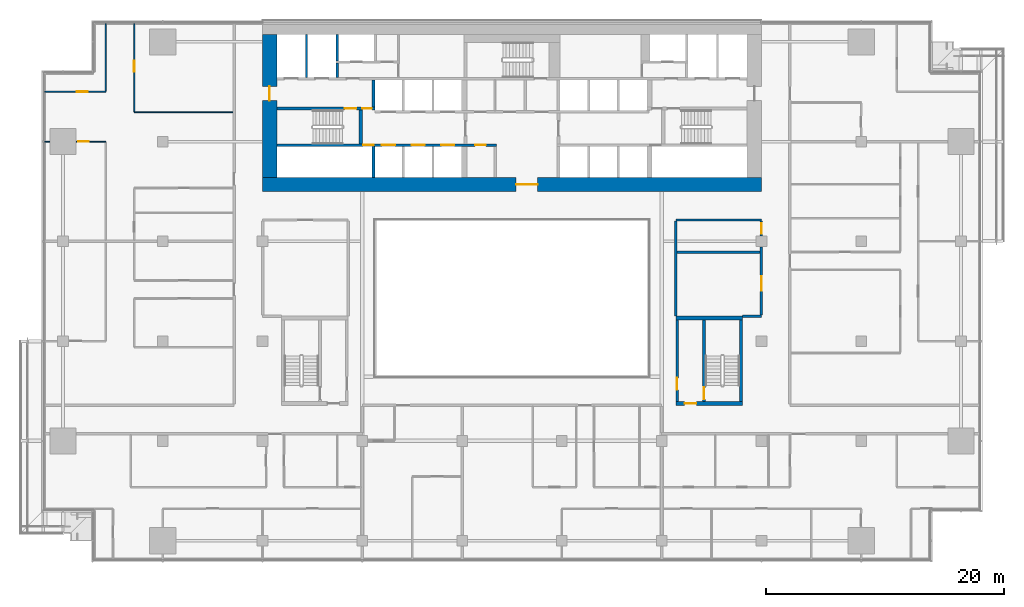
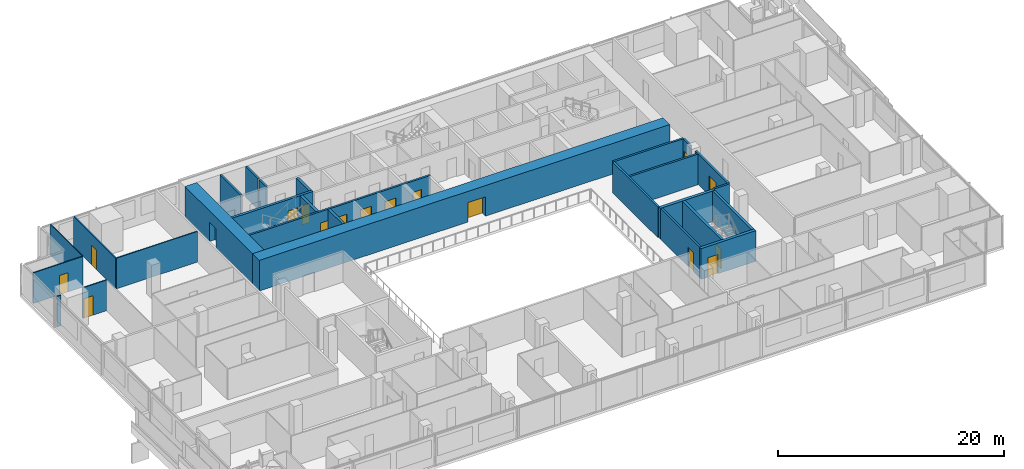
# One storey, part 18 of 27: 27 walls, 17 doors, 17 openings.
"""IFC4 building model written with IfcOpenShell, lengths in metres."""

import ifcopenshell
import ifcopenshell.guid

model = None  # the IFC model being written
_history = None  # IfcOwnerHistory: only IFC2X3 demands one
_inside = {}  # id of a spatial element -> (the spatial element, [elements in it])
_under = {}  # id of a project, library or spatial element -> (it, [spatial elements below it])
_declared = {}  # id of a project -> (the project, [libraries it declares])
_typed = {}  # id of a type object -> (the type object, [elements of that type])
_made_of = {}  # id of a material, layer set ... -> (it, [elements and type objects made of it])


def new_model(schema):
    """Start an empty IFC model of exactly this schema.

    Asked for "IFC4X3", IfcOpenShell would pick the latest addendum, in which some entities
    have other attributes; the version numbers below select the first issue.
    IFC2X3 requires an IfcOwnerHistory on every rooted entity: one is made here for all.
    """
    global model, _history
    if schema == "IFC4X3":
        model = ifcopenshell.file(schema_version=(4, 3, 0, 0))
    else:
        model = ifcopenshell.file(schema=schema)
    _inside.clear()
    _under.clear()
    _declared.clear()
    _typed.clear()
    _made_of.clear()
    _history = None
    if model.schema == "IFC2X3":
        org = make("IfcOrganization", Name="unknown")
        user = make(
            "IfcPersonAndOrganization",
            ThePerson=make("IfcPerson", FamilyName="unknown"),
            TheOrganization=org,
        )
        app = make(
            "IfcApplication",
            ApplicationDeveloper=org,
            Version="unknown",
            ApplicationFullName="unknown",
            ApplicationIdentifier="unknown",
        )
        _history = make(
            "IfcOwnerHistory",
            OwningUser=user,
            OwningApplication=app,
            ChangeAction="ADDED",
            CreationDate=0,
        )
    return model


def make(cls, **values):
    """One entity of the class cls with the attributes given. An attribute that is None is left unset."""
    return model.create_entity(
        cls, **{name: value for name, value in values.items() if value is not None}
    )


def rooted(cls, **values):
    """An entity with a GlobalId (a new one), such as an element, a storey or a relation."""
    return make(cls, GlobalId=ifcopenshell.guid.new(), OwnerHistory=_history, **values)


def si_unit(unit_type, name, prefix=None):
    """IfcSIUnit, for example si_unit("LENGTHUNIT", "METRE", prefix="MILLI")."""
    return make("IfcSIUnit", UnitType=unit_type, Prefix=prefix, Name=name)


def assignment(units):
    """IfcUnitAssignment: the units of a project."""
    return None if units is None else make("IfcUnitAssignment", Units=units)


def point(xyz):
    """IfcCartesianPoint."""
    return None if xyz is None else make("IfcCartesianPoint", Coordinates=xyz)


def direction(xyz):
    """IfcDirection."""
    return None if xyz is None else make("IfcDirection", DirectionRatios=xyz)


def frame(location, z_axis=None, x_axis=None):
    """IfcAxis2Placement3D, a coordinate frame: its origin and axes. An axis left out is left unset."""
    return make(
        "IfcAxis2Placement3D",
        Location=point(location),
        Axis=direction(z_axis),
        RefDirection=direction(x_axis),
    )


def frame_2d(location, x_axis=None):
    """IfcAxis2Placement2D, a coordinate frame in the plane: its origin and x axis."""
    return make(
        "IfcAxis2Placement2D", Location=point(location), RefDirection=direction(x_axis)
    )


def origin():
    """The frame at (0, 0, 0) with its axes left unset."""
    return frame((0.0, 0.0, 0.0))


def place(relative_to, where):
    """IfcLocalPlacement: puts the frame where relative to a parent placement (None: the world)."""
    return make(
        "IfcLocalPlacement", PlacementRelTo=relative_to, RelativePlacement=where
    )


def context(
    kind, dimensions, precision=None, world=None, true_north=None, identifier=None
):
    """IfcGeometricRepresentationContext, for example the 3D "Model" context."""
    return make(
        "IfcGeometricRepresentationContext",
        ContextIdentifier=identifier,
        ContextType=kind,
        CoordinateSpaceDimension=dimensions,
        Precision=precision,
        WorldCoordinateSystem=world,
        TrueNorth=true_north,
    )


def subcontext(parent, identifier, kind, view, scale=None):
    """IfcGeometricRepresentationSubContext, for example "Body" below "Model"."""
    return make(
        "IfcGeometricRepresentationSubContext",
        ContextIdentifier=identifier,
        ContextType=kind,
        ParentContext=parent,
        TargetScale=scale,
        TargetView=view,
    )


def project(units=None, contexts=None):
    """IfcProject with its units and contexts."""
    return rooted(
        "IfcProject",
        Name="project",
        RepresentationContexts=contexts,
        UnitsInContext=assignment(units),
    )


def spatial(cls, under=None, at=None, **own):
    """A site, building, storey or space (cls), placed at a placement, below another one or the project."""
    s = rooted(cls, ObjectPlacement=at, **own)
    if under is not None:
        _under.setdefault(under.id(), (under, []))[1].append(s)
    return s


def profile(cls, at=None, kind="AREA", **sizes):
    """A parametric profile (cls). Its sizes go by their IFC names, for example OverallWidth=200.0."""
    return make(cls, ProfileType=kind, Position=at, **sizes)


def rectangle(**sizes):
    """IfcRectangleProfileDef."""
    return profile("IfcRectangleProfileDef", **sizes)


def extrude(swept, where, along, depth):
    """IfcExtrudedAreaSolid: the profile swept, set in the frame where, extruded along a direction by depth."""
    return make(
        "IfcExtrudedAreaSolid",
        SweptArea=swept,
        Position=where,
        ExtrudedDirection=direction(along),
        Depth=depth,
    )


def shape(context_of_items, identifier, shape_type, items):
    """IfcShapeRepresentation: the items that make up one representation, for example the "Body"."""
    return make(
        "IfcShapeRepresentation",
        ContextOfItems=context_of_items,
        RepresentationIdentifier=identifier,
        RepresentationType=shape_type,
        Items=items,
    )


def material(Name=None, Category=None):
    """IfcMaterial."""
    return make("IfcMaterial", Name=Name, Category=Category)


def layer(
    of_material, thickness, ventilated=None, Name=None, Category=None, Priority=None
):
    """IfcMaterialLayer: one layer of a wall or slab, of a material (None: an air gap)."""
    return make(
        "IfcMaterialLayer",
        Material=of_material,
        LayerThickness=thickness,
        IsVentilated=ventilated,
        Name=Name,
        Category=Category,
        Priority=Priority,
    )


def layer_set(layers, Name=None):
    """IfcMaterialLayerSet."""
    return make("IfcMaterialLayerSet", MaterialLayers=layers, LayerSetName=Name)


def made_of(thing, what):
    """Note that an element or type object is made of a material, layer set ...; save() writes the relation."""
    if what is not None:
        _made_of.setdefault(what.id(), (what, []))[1].append(thing)
    return thing


def type_object(cls, material=None, **own):
    """A type object (cls), such as IfcWallType, which elements share."""
    return made_of(rooted(cls, **own), material)


def element(
    cls,
    number,
    at=None,
    inside=None,
    cuts=None,
    type_object=None,
    material=None,
    context=None,
    identifier="Body",
    shape_type=None,
    held_by="IfcProductDefinitionShape",
    body=None,
    shapes=None,
    **own,
):
    """One element of the class cls, such as IfcWall. Its Tag is "e" and its number.

    at: its placement. inside: the storey or other place that contains it. cuts: it is an
    opening in that element (IfcRelVoidsElement). A single representation is given by context,
    identifier, shape_type and body (its items); several are given by shapes. held_by: the class
    of the entity that holds the representations. save() writes the other relations.
    """
    e = rooted(cls, Tag="e%d" % number, ObjectPlacement=at, **own)
    if body is not None:
        shapes = [shape(context, identifier, shape_type, body)]
    if shapes is not None:
        e.Representation = make(held_by, Representations=shapes)
    if inside is not None:
        _inside.setdefault(inside.id(), (inside, []))[1].append(e)
    if cuts is not None:
        rooted(
            "IfcRelVoidsElement", RelatingBuildingElement=cuts, RelatedOpeningElement=e
        )
    if type_object is not None:
        _typed.setdefault(type_object.id(), (type_object, []))[1].append(e)
    return made_of(e, material)


def fill(opening, filler):
    """IfcRelFillsElement: the door or window that sits in an opening."""
    return rooted(
        "IfcRelFillsElement",
        RelatingOpeningElement=opening,
        RelatedBuildingElement=filler,
    )


def aggregate(whole, parts):
    """IfcRelAggregates: a whole, such as a stair, and the parts it consists of."""
    return rooted("IfcRelAggregates", RelatingObject=whole, RelatedObjects=parts)


def save(model, path):
    """Write the relations noted so far, then the file.

    IfcRelAggregates (storeys below a building ...), IfcRelContainedInSpatialStructure (elements
    in a storey), IfcRelDefinesByType, IfcRelAssociatesMaterial and IfcRelDeclares: one each for
    every whole, place, type object, material and project.
    """
    for whole, parts in _under.values():
        aggregate(whole, parts)
    for where, things in _inside.values():
        rooted(
            "IfcRelContainedInSpatialStructure",
            RelatedElements=things,
            RelatingStructure=where,
        )
    for kind, things in _typed.values():
        rooted("IfcRelDefinesByType", RelatedObjects=things, RelatingType=kind)
    for what, things in _made_of.values():
        rooted("IfcRelAssociatesMaterial", RelatedObjects=things, RelatingMaterial=what)
    for by, libraries in _declared.values():
        rooted("IfcRelDeclares", RelatingContext=by, RelatedDefinitions=libraries)
    model.write(path)


model = new_model("IFC4")

# Units and contexts
model_context = context("Model", 3, precision=1e-05, world=origin(), true_north=direction((0.0, 1.0)))
body_context = subcontext(model_context, "Body", "Model", "MODEL_VIEW")
ifc_project = project(units=[si_unit("LENGTHUNIT", "METRE"), si_unit("AREAUNIT", "SQUARE_METRE"), si_unit("VOLUMEUNIT", "CUBIC_METRE"), si_unit("PLANEANGLEUNIT", "RADIAN"), si_unit("MASSUNIT", "GRAM", prefix="KILO")], contexts=[model_context])

# Site, building, storey
site_placement = place(None, origin())
site = spatial("IfcSite", under=ifc_project, at=site_placement, CompositionType="ELEMENT")
building_placement = place(site_placement, origin())
building = spatial("IfcBuilding", under=site, at=building_placement, Name="Saffron Gate Tower", CompositionType="ELEMENT")
storey_placement = place(building_placement, frame((0.0, 0.0, 76.800048828125)))
storey = spatial("IfcBuildingStorey", under=building, at=storey_placement, Name="L18", CompositionType="ELEMENT", Elevation=76.800048828125)

# Wall, opening, door
ifc_material_1 = material(Name="Concrete C70", Category="concrete")
ifc_layer_1 = layer(ifc_material_1, 1.199951171875)
ifc_layer_set_1 = layer_set([ifc_layer_1], Name="CW1 RC core wall 1200 C70")
wall_type_1 = type_object("IfcWallType", Name="CW1 RC core wall 1200 C70", PredefinedType="SOLIDWALL", material=ifc_layer_set_1)
wall_1_placement = place(storey_placement, frame((66.60009765625, 61.800048828125, 0.0), z_axis=(0.0, 0.0, 1.0), x_axis=(1.0, 0.0, 0.0)))
wall_1 = element("IfcWall", 1, at=wall_1_placement, inside=storey, type_object=wall_type_1, Name="Wall CW1-L18-1", PredefinedType="SOLIDWALL", context=body_context, shape_type="SweptSolid", body=[
    extrude(rectangle(XDim=42.0, YDim=1.199951171875, at=frame_2d((21.0, 0.0))), origin(), (0.0, 0.0, 1.0), 3.320068359375),
])
opening_1_placement = place(wall_1_placement, frame((21.35009765625, 0.0, 0.0)))
opening_1 = element("IfcOpeningElement", 2, at=opening_1_placement, cuts=wall_1, Name="Opening CR-09", PredefinedType="OPENING", context=body_context, shape_type="SweptSolid", body=[
    extrude(rectangle(XDim=1.800048828125, YDim=2.10009765625, at=frame_2d((0.89990234375, 1.050048828125))), frame((0.0, 0.60986328125, 0.0), z_axis=(0.0, -1.0, 0.0), x_axis=(1.0, 0.0, 0.0)), (0.0, 0.0, 1.0), 1.219970703125),
])
ifc_material_2 = material(Name="Steel fire door set", Category="steel")
door_type_1 = type_object("IfcDoorType", Name="CD1 Core entrance door 1800x2100 EI 120", OperationType="NOTDEFINED", PredefinedType="DOOR", material=ifc_material_2)
door_1_placement = place(opening_1_placement, origin())
door_1 = element("IfcDoor", 3, at=door_1_placement, inside=storey, type_object=door_type_1, Name="DOOR CR-09", OperationType="DOUBLE_DOOR_SINGLE_SWING", OverallHeight=2.10009765625, OverallWidth=1.800048828125, PredefinedType="DOOR", context=body_context, shape_type="SweptSolid", body=[
    extrude(rectangle(XDim=1.800048828125, YDim=2.10009765625, at=frame_2d((0.89990234375, 1.050048828125))), frame((0.0, 0.02490234375, 0.0), z_axis=(0.0, -1.0, 0.0), x_axis=(1.0, 0.0, 0.0)), (0.0, 0.0, 1.0), 0.050048828125),
])
fill(opening_1, door_1)

wall_2_placement = place(storey_placement, frame((67.199951171875, 62.39990234375, 0.0), z_axis=(0.0, 0.0, 1.0), x_axis=(0.0, 1.0, 0.0)))
wall_2 = element("IfcWall", 4, at=wall_2_placement, inside=storey, type_object=wall_type_1, Name="Wall CW1-L18-3", PredefinedType="SOLIDWALL", context=body_context, shape_type="SweptSolid", body=[
    extrude(rectangle(XDim=12.0, YDim=1.199951171875, at=frame_2d((6.0, 0.0))), origin(), (0.0, 0.0, 1.0), 3.320068359375),
])
opening_2_placement = place(wall_2_placement, frame((6.449951171875, 0.0, 0.0)))
opening_2 = element("IfcOpeningElement", 5, at=opening_2_placement, cuts=wall_2, Name="Opening CR-10", PredefinedType="OPENING", context=body_context, shape_type="SweptSolid", body=[
    extrude(rectangle(XDim=1.199951171875, YDim=2.10009765625, at=frame_2d((0.60009765625, 1.050048828125))), frame((0.0, 0.60986328125, 0.0), z_axis=(0.0, -1.0, 0.0), x_axis=(1.0, 0.0, 0.0)), (0.0, 0.0, 1.0), 1.219970703125),
])
door_type_2 = type_object("IfcDoorType", Name="CD7 Core entrance door 1200x2100 EI 120", OperationType="NOTDEFINED", PredefinedType="DOOR", material=ifc_material_2)
door_2_placement = place(opening_2_placement, origin())
door_2 = element("IfcDoor", 6, at=door_2_placement, inside=storey, type_object=door_type_2, Name="DOOR CR-10", OperationType="SINGLE_SWING_LEFT", OverallHeight=2.10009765625, OverallWidth=1.199951171875, PredefinedType="DOOR", context=body_context, shape_type="SweptSolid", body=[
    extrude(rectangle(XDim=1.199951171875, YDim=2.10009765625, at=frame_2d((0.60009765625, 1.050048828125))), frame((0.0, 0.02490234375, 0.0), z_axis=(0.0, -1.0, 0.0), x_axis=(1.0, 0.0, 0.0)), (0.0, 0.0, 1.0), 0.050048828125),
])
fill(opening_2, door_2)

ifc_material_3 = material(Name="Gypsum board partition on steel studs", Category="steel")
ifc_layer_2 = layer(ifc_material_3, 0.199951171875)
ifc_layer_set_2 = layer_set([ifc_layer_2], Name="CW10 Core partition 200")
wall_type_2 = type_object("IfcWallType", Name="CW10 Core partition 200", PredefinedType="PARTITIONING", material=ifc_layer_set_2)
wall_3_placement = place(storey_placement, frame((101.5, 43.5, 0.0), z_axis=(0.0, 0.0, 1.0), x_axis=(0.0, 1.0, 0.0)))
wall_3 = element("IfcWall", 7, at=wall_3_placement, inside=storey, type_object=wall_type_2, Name="Wall CW10-L18-E-2", PredefinedType="PARTITIONING", context=body_context, shape_type="SweptSolid", body=[
    extrude(rectangle(XDim=6.89990234375, YDim=0.199951171875, at=frame_2d((3.449951171875, 0.0))), origin(), (0.0, 0.0, 1.0), 3.320068359375),
])
opening_3_placement = place(wall_3_placement, frame((1.0, 0.0, 0.0)))
opening_3 = element("IfcOpeningElement", 8, at=opening_3_placement, cuts=wall_3, Name="Opening CR-22", PredefinedType="OPENING", context=body_context, shape_type="SweptSolid", body=[
    extrude(rectangle(XDim=1.0, YDim=2.10009765625, at=frame_2d((0.5, 1.050048828125))), frame((0.0, 0.10986328125, 0.0), z_axis=(0.0, -1.0, 0.0), x_axis=(1.0, 0.0, 0.0)), (0.0, 0.0, 1.0), 0.219970703125),
])
door_type_3 = type_object("IfcDoorType", Name="CD4 Lobby door 1000x2100 EI 120", OperationType="NOTDEFINED", PredefinedType="DOOR", material=ifc_material_2)
door_3_placement = place(opening_3_placement, origin())
door_3 = element("IfcDoor", 9, at=door_3_placement, inside=storey, type_object=door_type_3, Name="DOOR CR-22", OperationType="SINGLE_SWING_LEFT", OverallHeight=2.10009765625, OverallWidth=1.0, PredefinedType="DOOR", context=body_context, shape_type="SweptSolid", body=[
    extrude(rectangle(XDim=1.0, YDim=2.10009765625, at=frame_2d((0.5, 1.050048828125))), frame((0.0, 0.02490234375, 0.0), z_axis=(0.0, -1.0, 0.0), x_axis=(1.0, 0.0, 0.0)), (0.0, 0.0, 1.0), 0.050048828125),
])
fill(opening_3, door_3)

# Wall
ifc_layer_3 = layer(ifc_material_1, 0.25)
ifc_layer_set_3 = layer_set([ifc_layer_3], Name="CW2 RC core wall 250 C70")
wall_type_3 = type_object("IfcWallType", Name="CW2 RC core wall 250 C70", PredefinedType="SOLIDWALL", material=ifc_layer_set_3)
wall_4_placement = place(storey_placement, frame((75.925048828125, 62.39990234375, 0.0), z_axis=(0.0, 0.0, 1.0), x_axis=(0.0, 1.0, 0.0)))
element("IfcWall", 10, at=wall_4_placement, inside=storey, type_object=wall_type_3, Name="Wall CW2-L18-5", PredefinedType="SOLIDWALL", context=body_context, shape_type="SweptSolid", body=[
    extrude(rectangle(XDim=2.60009765625, YDim=0.25, at=frame_2d((1.300048828125, 0.0))), origin(), (0.0, 0.0, 1.0), 3.320068359375),
])

# Wall, openings, doors
wall_5_placement = place(storey_placement, frame((67.800048828125, 68.175048828125, 0.0), z_axis=(0.0, 0.0, 1.0), x_axis=(1.0, 0.0, 0.0)))
wall_5 = element("IfcWall", 11, at=wall_5_placement, inside=storey, type_object=wall_type_3, Name="Wall CW2-L18-30", PredefinedType="SOLIDWALL", context=body_context, shape_type="SweptSolid", body=[
    extrude(rectangle(XDim=8.25, YDim=0.25, at=frame_2d((4.125, 0.0))), origin(), (0.0, 0.0, 1.0), 3.320068359375),
])
opening_4_placement = place(wall_5_placement, frame((5.699951171875, 0.0, 0.0)))
opening_4 = element("IfcOpeningElement", 12, at=opening_4_placement, cuts=wall_5, Name="Opening CR-15", PredefinedType="OPENING", context=body_context, shape_type="SweptSolid", body=[
    extrude(rectangle(XDim=1.0, YDim=2.10009765625, at=frame_2d((0.5, 1.050048828125))), frame((0.0, 0.135009765625, 0.0), z_axis=(0.0, -1.0, 0.0), x_axis=(1.0, 0.0, 0.0)), (0.0, 0.0, 1.0), 0.27001953125),
])
opening_5_placement = place(wall_5_placement, frame((7.199951171875, 0.0, 0.0)))
opening_5 = element("IfcOpeningElement", 13, at=opening_5_placement, cuts=wall_5, Name="Opening CR-06", PredefinedType="OPENING", context=body_context, shape_type="SweptSolid", body=[
    extrude(rectangle(XDim=0.800048828125, YDim=2.10009765625, at=frame_2d((0.39990234375, 1.050048828125))), frame((0.0, 0.135009765625, 0.0), z_axis=(0.0, -1.0, 0.0), x_axis=(1.0, 0.0, 0.0)), (0.0, 0.0, 1.0), 0.27001953125),
])
door_type_4 = type_object("IfcDoorType", Name="CD5 Stair door 1000x2100 EI 120", OperationType="NOTDEFINED", PredefinedType="DOOR", material=ifc_material_2)
door_4_placement = place(opening_4_placement, origin())
door_4 = element("IfcDoor", 14, at=door_4_placement, inside=storey, type_object=door_type_4, Name="DOOR CR-15", OperationType="SINGLE_SWING_RIGHT", OverallHeight=2.10009765625, OverallWidth=1.0, PredefinedType="DOOR", context=body_context, shape_type="SweptSolid", body=[
    extrude(rectangle(XDim=1.0, YDim=2.10009765625, at=frame_2d((0.5, 1.050048828125))), frame((0.0, 0.02490234375, 0.0), z_axis=(0.0, -1.0, 0.0), x_axis=(1.0, 0.0, 0.0)), (0.0, 0.0, 1.0), 0.050048828125),
])
fill(opening_4, door_4)
door_type_5 = type_object("IfcDoorType", Name="CD6 Lobby door 800x2100 EI 120", OperationType="NOTDEFINED", PredefinedType="DOOR", material=ifc_material_2)
door_5_placement = place(opening_5_placement, origin())
door_5 = element("IfcDoor", 15, at=door_5_placement, inside=storey, type_object=door_type_5, Name="DOOR CR-06", OperationType="SINGLE_SWING_LEFT", OverallHeight=2.10009765625, OverallWidth=0.800048828125, PredefinedType="DOOR", context=body_context, shape_type="SweptSolid", body=[
    extrude(rectangle(XDim=0.800048828125, YDim=2.10009765625, at=frame_2d((0.39990234375, 1.050048828125))), frame((0.0, 0.02490234375, 0.0), z_axis=(0.0, -1.0, 0.0), x_axis=(1.0, 0.0, 0.0)), (0.0, 0.0, 1.0), 0.050048828125),
])
fill(opening_5, door_5)

# Wall
wall_6_placement = place(storey_placement, frame((75.925048828125, 68.300048828125, 0.0), z_axis=(0.0, 0.0, 1.0), x_axis=(0.0, 1.0, 0.0)))
element("IfcWall", 16, at=wall_6_placement, inside=storey, type_object=wall_type_3, Name="Wall CW2-L18-32", PredefinedType="SOLIDWALL", context=body_context, shape_type="SweptSolid", body=[
    extrude(rectangle(XDim=2.300048828125, YDim=0.25, at=frame_2d((1.14990234375, 0.0))), origin(), (0.0, 0.0, 1.0), 3.320068359375),
])

# Wall, opening, door
wall_7_placement = place(storey_placement, frame((103.77490234375, 43.5, 0.0), z_axis=(0.0, 0.0, 1.0), x_axis=(0.0, 1.0, 0.0)))
wall_7 = element("IfcWall", 17, at=wall_7_placement, inside=storey, type_object=wall_type_3, Name="Wall CW2-L18-E-3", PredefinedType="SOLIDWALL", context=body_context, shape_type="SweptSolid", body=[
    extrude(rectangle(XDim=6.89990234375, YDim=0.25, at=frame_2d((3.449951171875, 0.0))), origin(), (0.0, 0.0, 1.0), 3.320068359375),
])
opening_6_placement = place(wall_7_placement, frame((0.199951171875, 0.0, 0.0)))
opening_6 = element("IfcOpeningElement", 18, at=opening_6_placement, cuts=wall_7, Name="Opening CR-23", PredefinedType="OPENING", context=body_context, shape_type="SweptSolid", body=[
    extrude(rectangle(XDim=1.0, YDim=2.10009765625, at=frame_2d((0.5, 1.050048828125))), frame((0.0, 0.135009765625, 0.0), z_axis=(0.0, -1.0, 0.0), x_axis=(1.0, 0.0, 0.0)), (0.0, 0.0, 1.0), 0.27001953125),
])
door_6_placement = place(opening_6_placement, origin())
door_6 = element("IfcDoor", 19, at=door_6_placement, inside=storey, type_object=door_type_4, Name="DOOR CR-23", OperationType="SINGLE_SWING_RIGHT", OverallHeight=2.10009765625, OverallWidth=1.0, PredefinedType="DOOR", context=body_context, shape_type="SweptSolid", body=[
    extrude(rectangle(XDim=1.0, YDim=2.10009765625, at=frame_2d((0.5, 1.050048828125))), frame((0.0, 0.02490234375, 0.0), z_axis=(0.0, -1.0, 0.0), x_axis=(1.0, 0.0, 0.0)), (0.0, 0.0, 1.0), 0.050048828125),
])
fill(opening_6, door_6)

# Wall
wall_8_placement = place(storey_placement, frame((106.875, 43.5, 0.0), z_axis=(0.0, 0.0, 1.0), x_axis=(0.0, 1.0, 0.0)))
element("IfcWall", 20, at=wall_8_placement, inside=storey, type_object=wall_type_3, Name="Wall CW2-L18-E-4", PredefinedType="SOLIDWALL", context=body_context, shape_type="SweptSolid", body=[
    extrude(rectangle(XDim=6.89990234375, YDim=0.25, at=frame_2d((3.449951171875, 0.0))), origin(), (0.0, 0.0, 1.0), 3.320068359375),
])

# Wall, openings, doors
ifc_layer_4 = layer(ifc_material_1, 0.199951171875)
ifc_layer_set_4 = layer_set([ifc_layer_4], Name="CW3 RC core wall 200 C70")
wall_type_4 = type_object("IfcWallType", Name="CW3 RC core wall 200 C70", PredefinedType="SOLIDWALL", material=ifc_layer_set_4)
wall_9_placement = place(storey_placement, frame((67.800048828125, 65.10009765625, 0.0), z_axis=(0.0, 0.0, 1.0), x_axis=(1.0, 0.0, 0.0)))
wall_9 = element("IfcWall", 21, at=wall_9_placement, inside=storey, type_object=wall_type_4, Name="Wall CW3-L18-14", PredefinedType="SOLIDWALL", context=body_context, shape_type="SweptSolid", body=[
    extrude(rectangle(XDim=18.5, YDim=0.199951171875, at=frame_2d((9.25, 0.0))), origin(), (0.0, 0.0, 1.0), 3.320068359375),
])
opening_7_placement = place(wall_9_placement, frame((7.27001953125, 0.0, 0.0)))
opening_7 = element("IfcOpeningElement", 22, at=opening_7_placement, cuts=wall_9, Name="Opening CR-49", PredefinedType="OPENING", context=body_context, shape_type="SweptSolid", body=[
    extrude(rectangle(XDim=0.89990234375, YDim=2.10009765625, at=frame_2d((0.449951171875, 1.050048828125))), frame((0.0, 0.10986328125, 0.0), z_axis=(0.0, -1.0, 0.0), x_axis=(1.0, 0.0, 0.0)), (0.0, 0.0, 1.0), 0.219970703125),
])
opening_8_placement = place(wall_9_placement, frame((8.85009765625, 0.0, 0.0)))
opening_8 = element("IfcOpeningElement", 23, at=opening_8_placement, cuts=wall_9, Name="Opening LD-LR1", PredefinedType="OPENING", context=body_context, shape_type="SweptSolid", body=[
    extrude(rectangle(XDim=1.10009765625, YDim=2.10009765625, at=frame_2d((0.550048828125, 1.050048828125))), frame((0.0, 0.10986328125, 0.0), z_axis=(0.0, -1.0, 0.0), x_axis=(1.0, 0.0, 0.0)), (0.0, 0.0, 1.0), 0.219970703125),
])
opening_9_placement = place(wall_9_placement, frame((11.35009765625, 0.0, 0.0)))
opening_9 = element("IfcOpeningElement", 24, at=opening_9_placement, cuts=wall_9, Name="Opening LD-LR2", PredefinedType="OPENING", context=body_context, shape_type="SweptSolid", body=[
    extrude(rectangle(XDim=1.10009765625, YDim=2.10009765625, at=frame_2d((0.550048828125, 1.050048828125))), frame((0.0, 0.10986328125, 0.0), z_axis=(0.0, -1.0, 0.0), x_axis=(1.0, 0.0, 0.0)), (0.0, 0.0, 1.0), 0.219970703125),
])
opening_10_placement = place(wall_9_placement, frame((13.85009765625, 0.0, 0.0)))
opening_10 = element("IfcOpeningElement", 25, at=opening_10_placement, cuts=wall_9, Name="Opening LD-LR3", PredefinedType="OPENING", context=body_context, shape_type="SweptSolid", body=[
    extrude(rectangle(XDim=1.10009765625, YDim=2.10009765625, at=frame_2d((0.550048828125, 1.050048828125))), frame((0.0, 0.10986328125, 0.0), z_axis=(0.0, -1.0, 0.0), x_axis=(1.0, 0.0, 0.0)), (0.0, 0.0, 1.0), 0.219970703125),
])
opening_11_placement = place(wall_9_placement, frame((16.699951171875, 0.0, 0.0)))
opening_11 = element("IfcOpeningElement", 26, at=opening_11_placement, cuts=wall_9, Name="Opening CR-69", PredefinedType="OPENING", context=body_context, shape_type="SweptSolid", body=[
    extrude(rectangle(XDim=0.89990234375, YDim=2.10009765625, at=frame_2d((0.449951171875, 1.050048828125))), frame((0.0, 0.10986328125, 0.0), z_axis=(0.0, -1.0, 0.0), x_axis=(1.0, 0.0, 0.0)), (0.0, 0.0, 1.0), 0.219970703125),
])
door_type_6 = type_object("IfcDoorType", Name="CD2 Riser door 900x2100 EI 60", OperationType="NOTDEFINED", PredefinedType="DOOR", material=ifc_material_2)
door_7_placement = place(opening_7_placement, origin())
door_7 = element("IfcDoor", 27, at=door_7_placement, inside=storey, type_object=door_type_6, Name="DOOR CR-49", OperationType="SINGLE_SWING_LEFT", OverallHeight=2.10009765625, OverallWidth=0.89990234375, PredefinedType="DOOR", context=body_context, shape_type="SweptSolid", body=[
    extrude(rectangle(XDim=0.89990234375, YDim=2.10009765625, at=frame_2d((0.449951171875, 1.050048828125))), frame((0.0, 0.02490234375, 0.0), z_axis=(0.0, -1.0, 0.0), x_axis=(1.0, 0.0, 0.0)), (0.0, 0.0, 1.0), 0.050048828125),
])
fill(opening_7, door_7)
door_type_7 = type_object("IfcDoorType", Name="CD9 Room door 900x2100 EI 60", OperationType="NOTDEFINED", PredefinedType="DOOR", material=ifc_material_2)
door_8_placement = place(opening_11_placement, origin())
door_8 = element("IfcDoor", 28, at=door_8_placement, inside=storey, type_object=door_type_7, Name="DOOR CR-69", OperationType="SINGLE_SWING_RIGHT", OverallHeight=2.10009765625, OverallWidth=0.89990234375, PredefinedType="DOOR", context=body_context, shape_type="SweptSolid", body=[
    extrude(rectangle(XDim=0.89990234375, YDim=2.10009765625, at=frame_2d((0.449951171875, 1.050048828125))), frame((0.0, 0.02490234375, 0.0), z_axis=(0.0, -1.0, 0.0), x_axis=(1.0, 0.0, 0.0)), (0.0, 0.0, 1.0), 0.050048828125),
])
fill(opening_11, door_8)
ifc_material_4 = material(Name="Stainless steel landing door", Category="steel")
door_type_8 = type_object("IfcDoorType", Name="LD Lift landing door 1100x2100 EI 120", OperationType="SLIDING_TO_LEFT", PredefinedType="DOOR", material=ifc_material_4)
door_9_placement = place(opening_8_placement, origin())
door_9 = element("IfcDoor", 29, at=door_9_placement, inside=storey, type_object=door_type_8, Name="LANDING DOOR LD-LR1", OperationType="SLIDING_TO_LEFT", OverallHeight=2.10009765625, OverallWidth=1.10009765625, PredefinedType="DOOR", context=body_context, shape_type="SweptSolid", body=[
    extrude(rectangle(XDim=1.10009765625, YDim=2.10009765625, at=frame_2d((0.550048828125, 1.050048828125))), frame((0.0, 0.02490234375, 0.0), z_axis=(0.0, -1.0, 0.0), x_axis=(1.0, 0.0, 0.0)), (0.0, 0.0, 1.0), 0.050048828125),
])
fill(opening_8, door_9)
door_10_placement = place(opening_9_placement, origin())
door_10 = element("IfcDoor", 30, at=door_10_placement, inside=storey, type_object=door_type_8, Name="LANDING DOOR LD-LR2", OperationType="SLIDING_TO_LEFT", OverallHeight=2.10009765625, OverallWidth=1.10009765625, PredefinedType="DOOR", context=body_context, shape_type="SweptSolid", body=[
    extrude(rectangle(XDim=1.10009765625, YDim=2.10009765625, at=frame_2d((0.550048828125, 1.050048828125))), frame((0.0, 0.02490234375, 0.0), z_axis=(0.0, -1.0, 0.0), x_axis=(1.0, 0.0, 0.0)), (0.0, 0.0, 1.0), 0.050048828125),
])
fill(opening_9, door_10)
door_11_placement = place(opening_10_placement, origin())
door_11 = element("IfcDoor", 31, at=door_11_placement, inside=storey, type_object=door_type_8, Name="LANDING DOOR LD-LR3", OperationType="SLIDING_TO_LEFT", OverallHeight=2.10009765625, OverallWidth=1.10009765625, PredefinedType="DOOR", context=body_context, shape_type="SweptSolid", body=[
    extrude(rectangle(XDim=1.10009765625, YDim=2.10009765625, at=frame_2d((0.550048828125, 1.050048828125))), frame((0.0, 0.02490234375, 0.0), z_axis=(0.0, -1.0, 0.0), x_axis=(1.0, 0.0, 0.0)), (0.0, 0.0, 1.0), 0.050048828125),
])
fill(opening_10, door_11)

# Walls
wall_10_placement = place(storey_placement, frame((70.300048828125, 70.800048828125, 0.0), z_axis=(0.0, 0.0, 1.0), x_axis=(0.0, 1.0, 0.0)))
element("IfcWall", 32, at=wall_10_placement, inside=storey, type_object=wall_type_4, Name="Wall CW3-L18-35", PredefinedType="SOLIDWALL", context=body_context, shape_type="SweptSolid", body=[
    extrude(rectangle(XDim=3.599853515625, YDim=0.199951171875, at=frame_2d((1.7998046875, 0.0))), origin(), (0.0, 0.0, 1.0), 3.320068359375),
])
wall_11_placement = place(storey_placement, frame((72.89990234375, 70.800048828125, 0.0), z_axis=(0.0, 0.0, 1.0), x_axis=(0.0, 1.0, 0.0)))
element("IfcWall", 33, at=wall_11_placement, inside=storey, type_object=wall_type_4, Name="Wall CW3-L18-36", PredefinedType="SOLIDWALL", context=body_context, shape_type="SweptSolid", body=[
    extrude(rectangle(XDim=1.199951171875, YDim=0.199951171875, at=frame_2d((0.60009765625, 0.0))), origin(), (0.0, 0.0, 1.0), 3.320068359375),
])
wall_12_placement = place(storey_placement, frame((72.89990234375, 72.199951171875, 0.0), z_axis=(0.0, 0.0, 1.0), x_axis=(0.0, 1.0, 0.0)))
element("IfcWall", 34, at=wall_12_placement, inside=storey, type_object=wall_type_4, Name="Wall CW3-L18-45", PredefinedType="SOLIDWALL", context=body_context, shape_type="SweptSolid", body=[
    extrude(rectangle(XDim=2.199951171875, YDim=0.199951171875, at=frame_2d((1.10009765625, 0.0))), origin(), (0.0, 0.0, 1.0), 3.320068359375),
])
ifc_layer_5 = layer(ifc_material_1, 0.300048828125)
ifc_layer_set_5 = layer_set([ifc_layer_5], Name="CW5 RC core wall 300 C70")
wall_type_5 = type_object("IfcWallType", Name="CW5 RC core wall 300 C70", PredefinedType="SOLIDWALL", material=ifc_layer_set_5)
wall_13_placement = place(storey_placement, frame((74.85009765625, 65.199951171875, 0.0), z_axis=(0.0, 0.0, 1.0), x_axis=(0.0, 1.0, 0.0)))
element("IfcWall", 35, at=wall_13_placement, inside=storey, type_object=wall_type_5, Name="Wall CW5-L18-16", PredefinedType="SOLIDWALL", context=body_context, shape_type="SweptSolid", body=[
    extrude(rectangle(XDim=2.85009765625, YDim=0.300048828125, at=frame_2d((1.425048828125, 0.0))), origin(), (0.0, 0.0, 1.0), 3.320068359375),
])

# Wall, opening, door
wall_14_placement = place(storey_placement, frame((101.39990234375, 43.35009765625, 0.0), z_axis=(0.0, 0.0, 1.0), x_axis=(1.0, 0.0, 0.0)))
wall_14 = element("IfcWall", 36, at=wall_14_placement, inside=storey, type_object=wall_type_5, Name="Wall CW5-L18-E-1", PredefinedType="SOLIDWALL", context=body_context, shape_type="SweptSolid", body=[
    extrude(rectangle(XDim=5.60009765625, YDim=0.300048828125, at=frame_2d((2.800048828125, 0.0))), origin(), (0.0, 0.0, 1.0), 3.320068359375),
])
opening_12_placement = place(wall_14_placement, frame((0.72509765625, 0.0, 0.0)))
opening_12 = element("IfcOpeningElement", 37, at=opening_12_placement, cuts=wall_14, Name="Opening CR-21", PredefinedType="OPENING", context=body_context, shape_type="SweptSolid", body=[
    extrude(rectangle(XDim=1.0, YDim=2.10009765625, at=frame_2d((0.5, 1.050048828125))), frame((0.0, 0.16015625, 0.0), z_axis=(0.0, -1.0, 0.0), x_axis=(1.0, 0.0, 0.0)), (0.0, 0.0, 1.0), 0.320068359375),
])
door_12_placement = place(opening_12_placement, origin())
door_12 = element("IfcDoor", 38, at=door_12_placement, inside=storey, type_object=door_type_3, Name="DOOR CR-21", OperationType="SINGLE_SWING_RIGHT", OverallHeight=2.10009765625, OverallWidth=1.0, PredefinedType="DOOR", context=body_context, shape_type="SweptSolid", body=[
    extrude(rectangle(XDim=1.0, YDim=2.10009765625, at=frame_2d((0.5, 1.050048828125))), frame((0.0, 0.02490234375, 0.0), z_axis=(0.0, -1.0, 0.0), x_axis=(1.0, 0.0, 0.0)), (0.0, 0.0, 1.0), 0.050048828125),
])
fill(opening_12, door_12)

# Walls
wall_15_placement = place(storey_placement, frame((101.39990234375, 50.550048828125, 0.0), z_axis=(0.0, 0.0, 1.0), x_axis=(1.0, 0.0, 0.0)))
element("IfcWall", 39, at=wall_15_placement, inside=storey, type_object=wall_type_5, Name="Wall CW5-L18-E-5", PredefinedType="SOLIDWALL", context=body_context, shape_type="SweptSolid", body=[
    extrude(rectangle(XDim=5.60009765625, YDim=0.300048828125, at=frame_2d((2.800048828125, 0.0))), origin(), (0.0, 0.0, 1.0), 3.320068359375),
])
ifc_material_5 = material(Name="Plasterboard on steel studs", Category="steel")
ifc_layer_6 = layer(ifc_material_5, 0.10009765625)
ifc_layer_set_6 = layer_set([ifc_layer_6], Name="PW1 Partition 100")
wall_type_6 = type_object("IfcWallType", Name="PW1 Partition 100", PredefinedType="PARTITIONING", material=ifc_layer_set_6)
wall_16_placement = place(storey_placement, frame((48.280029296875, 65.39990234375, 0.0), z_axis=(0.0, 0.0, 1.0), x_axis=(1.0, 0.0, 0.0)))
element("IfcWall", 40, at=wall_16_placement, inside=storey, type_object=wall_type_6, Name="Partition A4-44", PredefinedType="PARTITIONING", context=body_context, shape_type="SweptSolid", body=[
    extrude(rectangle(XDim=0.39990234375, YDim=0.10009765625, at=frame_2d((0.199951171875, 0.0))), origin(), (0.0, 0.0, 1.0), 3.320068359375),
])

# Wall, opening, door
wall_17_placement = place(storey_placement, frame((53.39990234375, 65.39990234375, 0.0), z_axis=(0.0, 0.0, 1.0), x_axis=(-1.0, 0.0, 0.0)))
wall_17 = element("IfcWall", 41, at=wall_17_placement, inside=storey, type_object=wall_type_6, Name="Partition A4-45", PredefinedType="PARTITIONING", context=body_context, shape_type="SweptSolid", body=[
    extrude(rectangle(XDim=2.47998046875, YDim=0.10009765625, at=frame_2d((1.239990234375, 0.0))), origin(), (0.0, 0.0, 1.0), 3.320068359375),
])
opening_13_placement = place(wall_17_placement, frame((1.429931640625, 0.0, 0.0)))
opening_13 = element("IfcOpeningElement", 42, at=opening_13_placement, cuts=wall_17, Name="Opening A4-25", PredefinedType="OPENING", context=body_context, shape_type="SweptSolid", body=[
    extrude(rectangle(XDim=0.89990234375, YDim=2.10009765625, at=frame_2d((0.449951171875, 1.050048828125))), frame((0.0, 0.06005859375, 0.0), z_axis=(0.0, -1.0, 0.0), x_axis=(1.0, 0.0, 0.0)), (0.0, 0.0, 1.0), 0.1201171875),
])
ifc_material_6 = material(Name="Timber door set", Category="wood")
door_type_9 = type_object("IfcDoorType", Name="RD1 Room door 900x2100", OperationType="NOTDEFINED", PredefinedType="DOOR", material=ifc_material_6)
door_13_placement = place(opening_13_placement, origin())
door_13 = element("IfcDoor", 43, at=door_13_placement, inside=storey, type_object=door_type_9, Name="Door A4-25", OperationType="SINGLE_SWING_RIGHT", OverallHeight=2.10009765625, OverallWidth=0.89990234375, PredefinedType="DOOR", context=body_context, shape_type="SweptSolid", body=[
    extrude(rectangle(XDim=0.89990234375, YDim=2.10009765625, at=frame_2d((0.449951171875, 1.050048828125))), frame((0.0, 0.02490234375, 0.0), z_axis=(0.0, -1.0, 0.0), x_axis=(1.0, 0.0, 0.0)), (0.0, 0.0, 1.0), 0.050048828125),
])
fill(opening_13, door_13)

# Wall
wall_18_placement = place(storey_placement, frame((55.800048828125, 67.881103515625, 0.0), z_axis=(0.0, 0.0, 1.0), x_axis=(1.0, 0.0, 0.0)))
element("IfcWall", 44, at=wall_18_placement, inside=storey, type_object=wall_type_6, Name="Partition A4-46", PredefinedType="PARTITIONING", context=body_context, shape_type="SweptSolid", body=[
    extrude(rectangle(XDim=8.300048828125, YDim=0.10009765625, at=frame_2d((4.14990234375, 0.0))), origin(), (0.0, 0.0, 1.0), 3.320068359375),
])

# Wall, opening, door
wall_19_placement = place(storey_placement, frame((48.280029296875, 69.60009765625, 0.0), z_axis=(0.0, 0.0, 1.0), x_axis=(1.0, 0.0, 0.0)))
wall_19 = element("IfcWall", 45, at=wall_19_placement, inside=storey, type_object=wall_type_6, Name="Partition A4-48", PredefinedType="PARTITIONING", context=body_context, shape_type="SweptSolid", body=[
    extrude(rectangle(XDim=5.119873046875, YDim=0.10009765625, at=frame_2d((2.56005859375, 0.0))), origin(), (0.0, 0.0, 1.0), 3.320068359375),
])
opening_14_placement = place(wall_19_placement, frame((2.68701171875, 0.0, 0.0)))
opening_14 = element("IfcOpeningElement", 46, at=opening_14_placement, cuts=wall_19, Name="Opening A4-26", PredefinedType="OPENING", context=body_context, shape_type="SweptSolid", body=[
    extrude(rectangle(XDim=0.89990234375, YDim=2.10009765625, at=frame_2d((0.449951171875, 1.050048828125))), frame((0.0, 0.06005859375, 0.0), z_axis=(0.0, -1.0, 0.0), x_axis=(1.0, 0.0, 0.0)), (0.0, 0.0, 1.0), 0.1201171875),
])
door_14_placement = place(opening_14_placement, origin())
door_14 = element("IfcDoor", 47, at=door_14_placement, inside=storey, type_object=door_type_9, Name="Door A4-26", OperationType="SINGLE_SWING_RIGHT", OverallHeight=2.10009765625, OverallWidth=0.89990234375, PredefinedType="DOOR", context=body_context, shape_type="SweptSolid", body=[
    extrude(rectangle(XDim=0.89990234375, YDim=2.10009765625, at=frame_2d((0.449951171875, 1.050048828125))), frame((0.0, 0.02490234375, 0.0), z_axis=(0.0, -1.0, 0.0), x_axis=(1.0, 0.0, 0.0)), (0.0, 0.0, 1.0), 0.050048828125),
])
fill(opening_14, door_14)

# Wall
wall_20_placement = place(storey_placement, frame((53.39990234375, 75.320068359375, 0.0), z_axis=(0.0, 0.0, 1.0), x_axis=(0.0, -1.0, 0.0)))
element("IfcWall", 48, at=wall_20_placement, inside=storey, type_object=wall_type_6, Name="Partition A4-50", PredefinedType="PARTITIONING", context=body_context, shape_type="SweptSolid", body=[
    extrude(rectangle(XDim=5.670166015625, YDim=0.10009765625, at=frame_2d((2.8349609375, 0.0))), origin(), (0.0, 0.0, 1.0), 3.320068359375),
])

# Wall, opening, door
wall_21_placement = place(storey_placement, frame((55.800048828125, 75.320068359375, 0.0), z_axis=(0.0, 0.0, 1.0), x_axis=(0.0, -1.0, 0.0)))
wall_21 = element("IfcWall", 49, at=wall_21_placement, inside=storey, type_object=wall_type_6, Name="Partition A4-54", PredefinedType="PARTITIONING", context=body_context, shape_type="SweptSolid", body=[
    extrude(rectangle(XDim=7.38916015625, YDim=0.10009765625, at=frame_2d((3.694580078125, 0.0))), origin(), (0.0, 0.0, 1.0), 3.320068359375),
])
opening_15_placement = place(wall_21_placement, frame((3.12939453125, 0.0, 0.0)))
opening_15 = element("IfcOpeningElement", 50, at=opening_15_placement, cuts=wall_21, Name="Opening A4-27", PredefinedType="OPENING", context=body_context, shape_type="SweptSolid", body=[
    extrude(rectangle(XDim=0.89990234375, YDim=2.10009765625, at=frame_2d((0.449951171875, 1.050048828125))), frame((0.0, 0.06005859375, 0.0), z_axis=(0.0, -1.0, 0.0), x_axis=(1.0, 0.0, 0.0)), (0.0, 0.0, 1.0), 0.1201171875),
])
door_15_placement = place(opening_15_placement, origin())
door_15 = element("IfcDoor", 51, at=door_15_placement, inside=storey, type_object=door_type_9, Name="Door A4-27", OperationType="SINGLE_SWING_LEFT", OverallHeight=2.10009765625, OverallWidth=0.89990234375, PredefinedType="DOOR", context=body_context, shape_type="SweptSolid", body=[
    extrude(rectangle(XDim=0.89990234375, YDim=2.10009765625, at=frame_2d((0.449951171875, 1.050048828125))), frame((0.0, 0.02490234375, 0.0), z_axis=(0.0, -1.0, 0.0), x_axis=(1.0, 0.0, 0.0)), (0.0, 0.0, 1.0), 0.050048828125),
])
fill(opening_15, door_15)

# Walls
ifc_material_7 = material(Name="Clay brick masonry, rendered", Category="masonry")
ifc_layer_7 = layer(ifc_material_7, 0.199951171875)
ifc_layer_set_7 = layer_set([ifc_layer_7], Name="PW3 Corridor wall 200")
wall_type_7 = type_object("IfcWallType", Name="PW3 Corridor wall 200", PredefinedType="PARTITIONING", material=ifc_layer_set_7)
wall_22_placement = place(storey_placement, frame((107.0, 50.699951171875, 0.0), z_axis=(0.0, 0.0, 1.0), x_axis=(1.0, 0.0, 0.0)))
element("IfcWall", 52, at=wall_22_placement, inside=storey, type_object=wall_type_7, Name="Wall A4-24", PredefinedType="PARTITIONING", context=body_context, shape_type="SweptSolid", body=[
    extrude(rectangle(XDim=1.60009765625, YDim=0.199951171875, at=frame_2d((0.800048828125, 0.0))), origin(), (0.0, 0.0, 1.0), 3.320068359375),
])
wall_23_placement = place(storey_placement, frame((101.39990234375, 58.800048828125, 0.0), z_axis=(0.0, 0.0, 1.0), x_axis=(1.0, 0.0, 0.0)))
element("IfcWall", 53, at=wall_23_placement, inside=storey, type_object=wall_type_7, Name="Wall A4-36", PredefinedType="PARTITIONING", context=body_context, shape_type="SweptSolid", body=[
    extrude(rectangle(XDim=7.2001953125, YDim=0.199951171875, at=frame_2d((3.60009765625, 0.0))), origin(), (0.0, 0.0, 1.0), 3.320068359375),
])
wall_24_placement = place(storey_placement, frame((101.39990234375, 58.699951171875, 0.0), z_axis=(0.0, 0.0, 1.0), x_axis=(0.0, -1.0, 0.0)))
element("IfcWall", 54, at=wall_24_placement, inside=storey, type_object=wall_type_7, Name="Wall A4-83", PredefinedType="PARTITIONING", context=body_context, shape_type="SweptSolid", body=[
    extrude(rectangle(XDim=8.0, YDim=0.199951171875, at=frame_2d((4.0, 0.0))), origin(), (0.0, 0.0, 1.0), 3.320068359375),
])

# Wall, opening, door
wall_25_placement = place(storey_placement, frame((108.60009765625, 50.800048828125, 0.0), z_axis=(0.0, 0.0, 1.0), x_axis=(0.0, 1.0, 0.0)))
wall_25 = element("IfcWall", 55, at=wall_25_placement, inside=storey, type_object=wall_type_7, Name="Wall A4-86", PredefinedType="PARTITIONING", context=body_context, shape_type="SweptSolid", body=[
    extrude(rectangle(XDim=5.72998046875, YDim=0.199951171875, at=frame_2d((2.864990234375, 0.0))), origin(), (0.0, 0.0, 1.0), 3.320068359375),
])
opening_16_placement = place(wall_25_placement, frame((2.050048828125, 0.0, 0.0)))
opening_16 = element("IfcOpeningElement", 56, at=opening_16_placement, cuts=wall_25, Name="Opening A4-46", PredefinedType="OPENING", context=body_context, shape_type="SweptSolid", body=[
    extrude(rectangle(XDim=1.199951171875, YDim=2.10009765625, at=frame_2d((0.60009765625, 1.050048828125))), frame((0.0, 0.10986328125, 0.0), z_axis=(0.0, -1.0, 0.0), x_axis=(1.0, 0.0, 0.0)), (0.0, 0.0, 1.0), 0.219970703125),
])
door_type_10 = type_object("IfcDoorType", Name="HD1 Hall door 1200x2100", OperationType="NOTDEFINED", PredefinedType="DOOR", material=ifc_material_6)
door_16_placement = place(opening_16_placement, origin())
door_16 = element("IfcDoor", 57, at=door_16_placement, inside=storey, type_object=door_type_10, Name="Door A4-46", OperationType="SINGLE_SWING_RIGHT", OverallHeight=2.10009765625, OverallWidth=1.199951171875, PredefinedType="DOOR", context=body_context, shape_type="SweptSolid", body=[
    extrude(rectangle(XDim=1.199951171875, YDim=2.10009765625, at=frame_2d((0.60009765625, 1.050048828125))), frame((0.0, 0.02490234375, 0.0), z_axis=(0.0, -1.0, 0.0), x_axis=(1.0, 0.0, 0.0)), (0.0, 0.0, 1.0), 0.050048828125),
])
fill(opening_16, door_16)

wall_26_placement = place(storey_placement, frame((108.60009765625, 57.469970703125, 0.0), z_axis=(0.0, 0.0, 1.0), x_axis=(0.0, 1.0, 0.0)))
wall_26 = element("IfcWall", 58, at=wall_26_placement, inside=storey, type_object=wall_type_7, Name="Wall A4-87", PredefinedType="PARTITIONING", context=body_context, shape_type="SweptSolid", body=[
    extrude(rectangle(XDim=1.22998046875, YDim=0.199951171875, at=frame_2d((0.614990234375, 0.0))), origin(), (0.0, 0.0, 1.0), 3.320068359375),
])
opening_17_placement = place(wall_26_placement, frame((0.1650390625, 0.0, 0.0)))
opening_17 = element("IfcOpeningElement", 59, at=opening_17_placement, cuts=wall_26, Name="Opening A4-33", PredefinedType="OPENING", context=body_context, shape_type="SweptSolid", body=[
    extrude(rectangle(XDim=0.89990234375, YDim=2.10009765625, at=frame_2d((0.449951171875, 1.050048828125))), frame((0.0, 0.10986328125, 0.0), z_axis=(0.0, -1.0, 0.0), x_axis=(1.0, 0.0, 0.0)), (0.0, 0.0, 1.0), 0.219970703125),
])
door_17_placement = place(opening_17_placement, origin())
door_17 = element("IfcDoor", 60, at=door_17_placement, inside=storey, type_object=door_type_9, Name="Door A4-33", OperationType="SINGLE_SWING_RIGHT", OverallHeight=2.10009765625, OverallWidth=0.89990234375, PredefinedType="DOOR", context=body_context, shape_type="SweptSolid", body=[
    extrude(rectangle(XDim=0.89990234375, YDim=2.10009765625, at=frame_2d((0.449951171875, 1.050048828125))), frame((0.0, 0.02490234375, 0.0), z_axis=(0.0, -1.0, 0.0), x_axis=(1.0, 0.0, 0.0)), (0.0, 0.0, 1.0), 0.050048828125),
])
fill(opening_17, door_17)

# Wall
ifc_layer_8 = layer(ifc_material_7, 0.199951171875)
ifc_layer_set_8 = layer_set([ifc_layer_8], Name="PW5 Room wall 200")
wall_type_8 = type_object("IfcWallType", Name="PW5 Room wall 200", PredefinedType="PARTITIONING", material=ifc_layer_set_8)
wall_27_placement = place(storey_placement, frame((101.5, 56.10009765625, 0.0), z_axis=(0.0, 0.0, 1.0), x_axis=(1.0, 0.0, 0.0)))
element("IfcWall", 61, at=wall_27_placement, inside=storey, type_object=wall_type_8, Name="Wall A4-29", PredefinedType="PARTITIONING", context=body_context, shape_type="SweptSolid", body=[
    extrude(rectangle(XDim=7.0, YDim=0.199951171875, at=frame_2d((3.5, 0.0))), origin(), (0.0, 0.0, 1.0), 3.320068359375),
])

save(model, "model.ifc")
